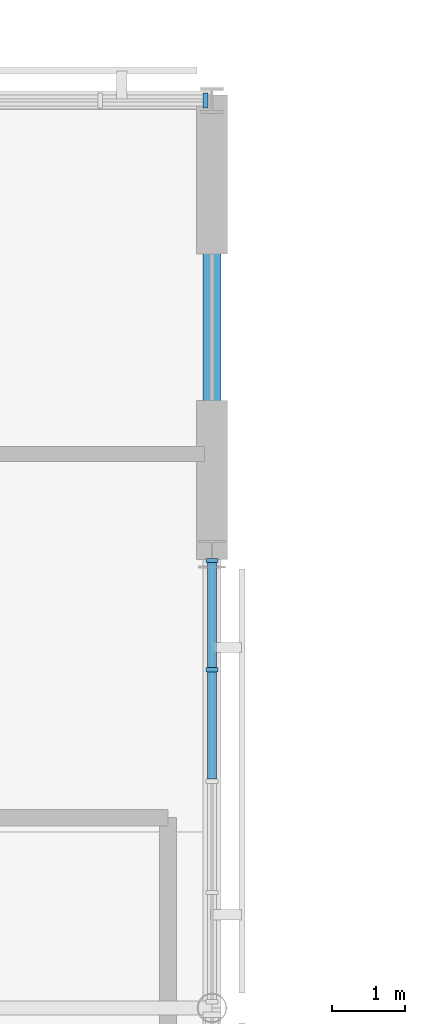
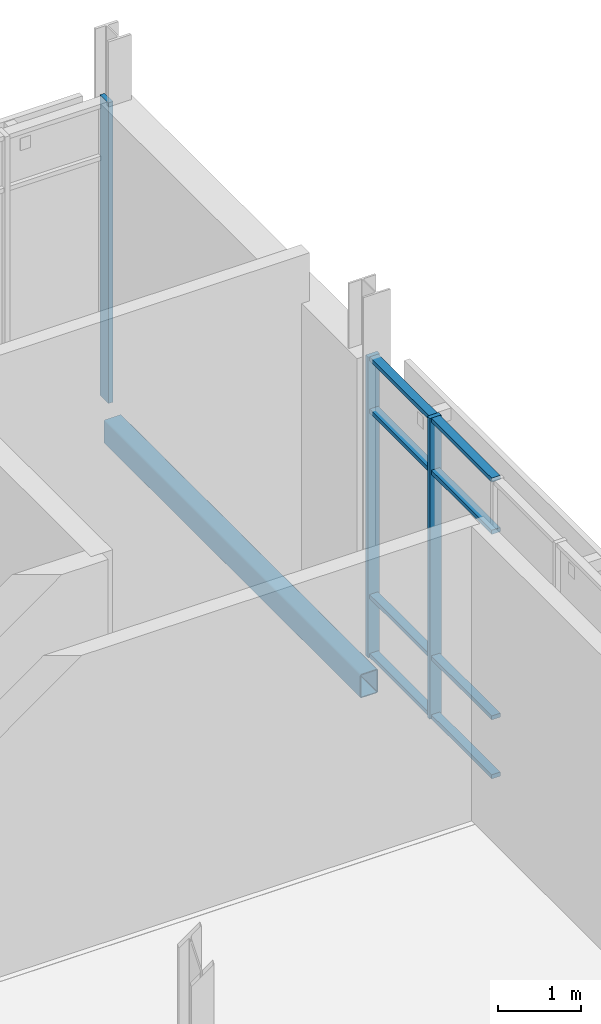
# One storey, part 58 of 98: 11 members, 1 beam, 2 elements without a shape of their own.
"""IFC4 building model written with IfcOpenShell, lengths in metres."""

from ifc_helpers import new_model, si_unit, direction, frame, origin, origin_2d, place, context, subcontext, project, spatial, rectangle, hollow_rectangle, extrude, material, layer, layer_set, material_profile, profile_set, type_object, element, aggregate, save


model = new_model("IFC4")

# Units and contexts
model_context = context("Model", 3, precision=1e-05, world=origin(), true_north=direction((0.0, 1.0)))
body_context = subcontext(model_context, "Body", "Model", "MODEL_VIEW")
ifc_project = project(units=[si_unit("LENGTHUNIT", "METRE"), si_unit("AREAUNIT", "SQUARE_METRE"), si_unit("VOLUMEUNIT", "CUBIC_METRE"), si_unit("PLANEANGLEUNIT", "RADIAN"), si_unit("MASSUNIT", "GRAM", prefix="KILO")], contexts=[model_context])

# Site, building, storey
site_placement = place(None, origin())
site = spatial("IfcSite", under=ifc_project, at=site_placement, CompositionType="ELEMENT")
building_placement = place(site_placement, origin())
building = spatial("IfcBuilding", under=site, at=building_placement, Name="Mirzam Square Science Centre", CompositionType="ELEMENT")
storey_placement = place(building_placement, origin())
storey = spatial("IfcBuildingStorey", under=building, at=storey_placement, Name="L00", CompositionType="ELEMENT", Elevation=0.0)

# Curtain wall, members
ifc_material_1 = material(Name="Anodised Aluminium and Low-E Solar Glass", Category="aluminium")
ifc_layer = layer(ifc_material_1, 0.219970703125)
ifc_layer_set = layer_set([ifc_layer], Name="CW-OBS-A")
curtain_wall_type = type_object("IfcCurtainWallType", Name="CW-OBS-A", PredefinedType="USERDEFINED", material=ifc_layer_set)
curtain_wall_1_placement = place(storey_placement, origin())
curtain_wall_1 = element("IfcCurtainWall", 1, at=curtain_wall_1_placement, inside=storey, type_object=curtain_wall_type, Name="L00 unitised curtain wall 79", ObjectType="UNITISED CURTAIN WALL", PredefinedType="USERDEFINED")
ifc_material_2 = material(Name="Anodised Architectural Aluminium 6063-T6", Category="aluminium")
ifc_material_profile_1 = material_profile(ifc_material_2, rectangle(XDim=0.06005859375, YDim=0.159912109375, at=origin_2d()), Name="ALU-MULL-160x60x4")
ifc_profile_set_1 = profile_set([ifc_material_profile_1], Name="Anodised Architectural Aluminium 6063-T6")
member_type_1 = type_object("IfcMemberType", Name="CWM-160", PredefinedType="MULLION", material=ifc_profile_set_1)
member_1_placement = place(storey_placement, frame((138.0, 103.822509765625, 0.0), z_axis=(0.0, 0.0, 1.0), x_axis=(0.0, 1.0, 0.0)))
member_1 = element("IfcMember", 2, at=member_1_placement, type_object=member_type_1, Name="CW-07 mullion 4", PredefinedType="MULLION", context=body_context, shape_type="SweptSolid", body=[
    extrude(rectangle(XDim=0.06005859375, YDim=0.159912109375, at=origin_2d()), origin(), (0.0, 0.0, 1.0), 4.43994140625),
])
member_2_placement = place(storey_placement, frame((138.0, 105.31494140625, 0.0), z_axis=(0.0, 0.0, 1.0), x_axis=(0.0, 1.0, 0.0)))
member_2 = element("IfcMember", 3, at=member_2_placement, type_object=member_type_1, Name="CW-07 mullion 5", PredefinedType="MULLION", context=body_context, shape_type="SweptSolid", body=[
    extrude(rectangle(XDim=0.06005859375, YDim=0.159912109375, at=origin_2d()), origin(), (0.0, 0.0, 1.0), 4.43994140625),
])

# Curtain wall, member
curtain_wall_2_placement = place(storey_placement, origin())
curtain_wall_2 = element("IfcCurtainWall", 4, at=curtain_wall_2_placement, inside=storey, type_object=curtain_wall_type, Name="L00 unitised curtain wall 74", ObjectType="UNITISED CURTAIN WALL", PredefinedType="USERDEFINED")
ifc_material_profile_2 = material_profile(ifc_material_2, rectangle(XDim=0.06494140625, YDim=0.199951171875, at=origin_2d()), Name="ALU-MULL-200x65x5")
ifc_profile_set_2 = profile_set([ifc_material_profile_2], Name="Anodised Architectural Aluminium 6063-T6")
member_type_2 = type_object("IfcMemberType", Name="CWM-200", PredefinedType="MULLION", material=ifc_profile_set_2)
member_3_placement = place(storey_placement, frame((137.91259765625, 111.60009765625, 0.0), z_axis=(0.0, 0.0, 1.0), x_axis=(-1.0, 0.0, 0.0)))
member_3 = element("IfcMember", 5, at=member_3_placement, type_object=member_type_2, Name="CW-07 mullion 1", PredefinedType="MULLION", context=body_context, shape_type="SweptSolid", body=[
    extrude(rectangle(XDim=0.06494140625, YDim=0.199951171875, at=origin_2d()), origin(), (0.0, 0.0, 1.0), 4.43994140625),
])
aggregate(curtain_wall_2, [member_3])

# Member
ifc_material_profile_3 = material_profile(ifc_material_2, rectangle(XDim=0.1201171875, YDim=0.06005859375, at=origin_2d()), Name="ALU-TRAN-120x60x4")
ifc_profile_set_3 = profile_set([ifc_material_profile_3], Name="Anodised Architectural Aluminium 6063-T6")
member_type_3 = type_object("IfcMemberType", Name="CWT-120", PredefinedType="USERDEFINED", material=ifc_profile_set_3)
member_4_placement = place(storey_placement, frame((138.0, 102.330078125, 0.030029296875), z_axis=(0.0, 1.0, 0.0), x_axis=(-1.0, 0.0, 0.0)))
member_4 = element("IfcMember", 6, at=member_4_placement, type_object=member_type_3, Name="CW-07 transom 3.1", ObjectType="TRANSOM", PredefinedType="USERDEFINED", context=body_context, shape_type="SweptSolid", body=[
    extrude(rectangle(XDim=0.1201171875, YDim=0.06005859375, at=origin_2d()), origin(), (0.0, 0.0, 1.0), 1.46240234375),
])

member_5_placement = place(storey_placement, frame((138.0, 102.330078125, 0.89990234375), z_axis=(0.0, 1.0, 0.0), x_axis=(-1.0, 0.0, 0.0)))
member_5 = element("IfcMember", 7, at=member_5_placement, type_object=member_type_3, Name="CW-07 transom 3.2", ObjectType="TRANSOM", PredefinedType="USERDEFINED", context=body_context, shape_type="SweptSolid", body=[
    extrude(rectangle(XDim=0.1201171875, YDim=0.06005859375, at=origin_2d()), origin(), (0.0, 0.0, 1.0), 1.46240234375),
])

member_6_placement = place(storey_placement, frame((138.0, 102.330078125, 3.639892578125), z_axis=(0.0, 1.0, 0.0), x_axis=(-1.0, 0.0, 0.0)))
member_6 = element("IfcMember", 8, at=member_6_placement, type_object=member_type_3, Name="CW-07 transom 3.3", ObjectType="TRANSOM", PredefinedType="USERDEFINED", context=body_context, shape_type="SweptSolid", body=[
    extrude(rectangle(XDim=0.1201171875, YDim=0.06005859375, at=origin_2d()), origin(), (0.0, 0.0, 1.0), 1.46240234375),
])

member_7_placement = place(storey_placement, frame((138.0, 102.330078125, 4.409912109375), z_axis=(0.0, 1.0, 0.0), x_axis=(-1.0, 0.0, 0.0)))
member_7 = element("IfcMember", 9, at=member_7_placement, type_object=member_type_3, Name="CW-07 transom 3.4", ObjectType="TRANSOM", PredefinedType="USERDEFINED", context=body_context, shape_type="SweptSolid", body=[
    extrude(rectangle(XDim=0.1201171875, YDim=0.06005859375, at=origin_2d()), origin(), (0.0, 0.0, 1.0), 1.46240234375),
])

member_8_placement = place(storey_placement, frame((138.0, 103.8525390625, 0.030029296875), z_axis=(0.0, 1.0, 0.0), x_axis=(-1.0, 0.0, 0.0)))
member_8 = element("IfcMember", 10, at=member_8_placement, type_object=member_type_3, Name="CW-07 transom 4.1", ObjectType="TRANSOM", PredefinedType="USERDEFINED", context=body_context, shape_type="SweptSolid", body=[
    extrude(rectangle(XDim=0.1201171875, YDim=0.06005859375, at=origin_2d()), origin(), (0.0, 0.0, 1.0), 1.432373046875),
])

member_9_placement = place(storey_placement, frame((138.0, 103.8525390625, 0.89990234375), z_axis=(0.0, 1.0, 0.0), x_axis=(-1.0, 0.0, 0.0)))
member_9 = element("IfcMember", 11, at=member_9_placement, type_object=member_type_3, Name="CW-07 transom 4.2", ObjectType="TRANSOM", PredefinedType="USERDEFINED", context=body_context, shape_type="SweptSolid", body=[
    extrude(rectangle(XDim=0.1201171875, YDim=0.06005859375, at=origin_2d()), origin(), (0.0, 0.0, 1.0), 1.432373046875),
])

member_10_placement = place(storey_placement, frame((138.0, 103.8525390625, 3.639892578125), z_axis=(0.0, 1.0, 0.0), x_axis=(-1.0, 0.0, 0.0)))
member_10 = element("IfcMember", 12, at=member_10_placement, type_object=member_type_3, Name="CW-07 transom 4.3", ObjectType="TRANSOM", PredefinedType="USERDEFINED", context=body_context, shape_type="SweptSolid", body=[
    extrude(rectangle(XDim=0.1201171875, YDim=0.06005859375, at=origin_2d()), origin(), (0.0, 0.0, 1.0), 1.432373046875),
])

member_11_placement = place(storey_placement, frame((138.0, 103.8525390625, 4.409912109375), z_axis=(0.0, 1.0, 0.0), x_axis=(-1.0, 0.0, 0.0)))
member_11 = element("IfcMember", 13, at=member_11_placement, type_object=member_type_3, Name="CW-07 transom 4.4", ObjectType="TRANSOM", PredefinedType="USERDEFINED", context=body_context, shape_type="SweptSolid", body=[
    extrude(rectangle(XDim=0.1201171875, YDim=0.06005859375, at=origin_2d()), origin(), (0.0, 0.0, 1.0), 1.432373046875),
])

aggregate(curtain_wall_1, [member_1, member_2, member_4, member_5, member_6, member_7, member_8, member_9, member_10, member_11])

# Beam
ifc_material_3 = material(Name="Steel S355", Category="steel")
ifc_material_profile_4 = material_profile(ifc_material_3, hollow_rectangle(XDim=0.25, YDim=0.35009765625, WallThickness=0.012451171875, InnerFilletRadius=0.012451171875, OuterFilletRadius=0.02490234375, at=origin_2d()), Name="350x250x12.5RHS")
ifc_profile_set_4 = profile_set([ifc_material_profile_4], Name="Steel S355")
beam_type = type_object("IfcBeamType", Name="SP-RHS350", PredefinedType="SPANDREL", material=ifc_profile_set_4)
beam_placement = place(storey_placement, frame((138.0, 105.39990234375, -0.47509765625), z_axis=(0.0, 1.0, 0.0), x_axis=(-1.0, 0.0, 0.0)))
element("IfcBeam", 14, at=beam_placement, inside=storey, type_object=beam_type, Name="L00 girder Y24-18", PredefinedType="SPANDREL", context=body_context, shape_type="SweptSolid", body=[
    extrude(hollow_rectangle(XDim=0.25, YDim=0.35009765625, WallThickness=0.012451171875, InnerFilletRadius=0.012451171875, OuterFilletRadius=0.02490234375, at=origin_2d()), origin(), (0.0, 0.0, 1.0), 6.2001953125),
])

save(model, "model.ifc")
